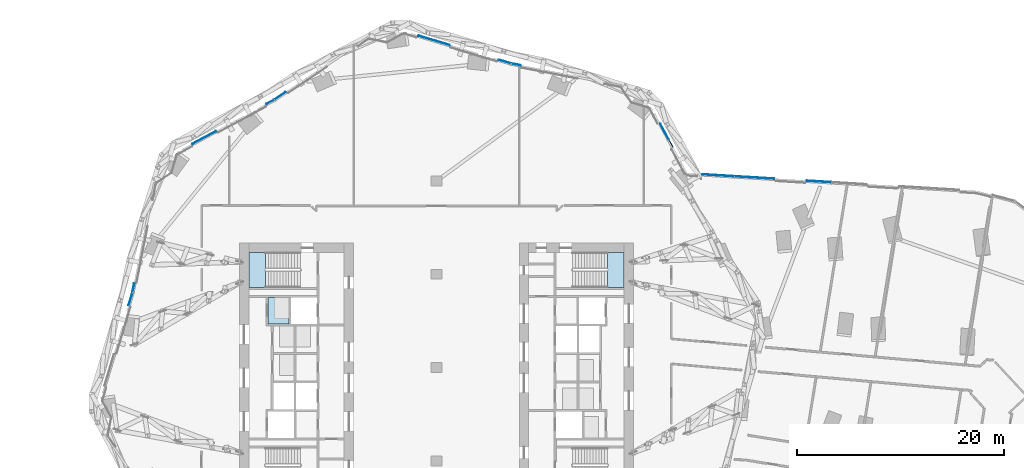
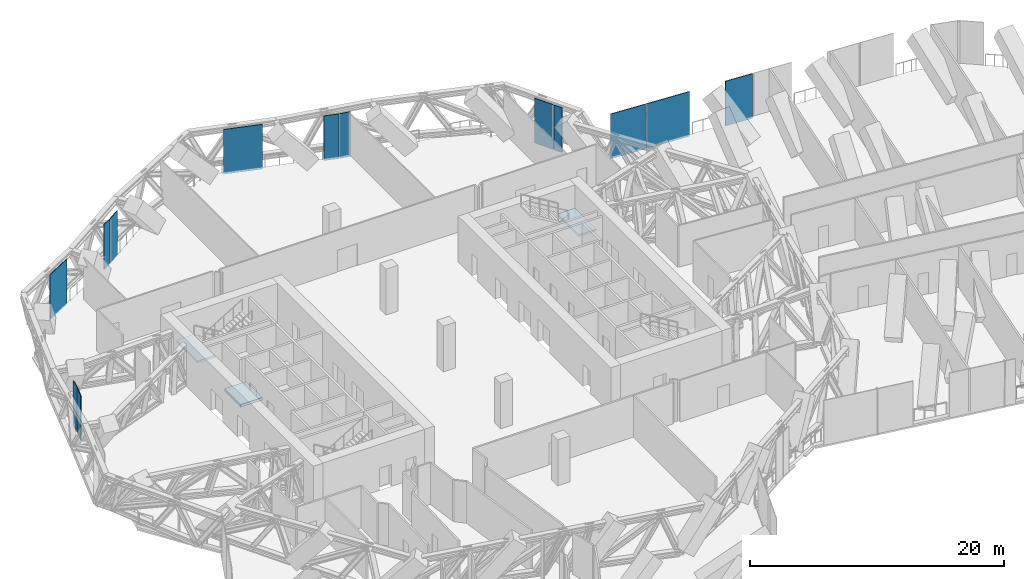
# One storey, part 25 of 39: 13 plates, 3 slabs, 10 elements without a shape of their own.
"""IFC4 building model written with IfcOpenShell, lengths in metres."""

from ifc_helpers import new_model, si_unit, direction, frame, origin, origin_2d, place, context, subcontext, project, spatial, polyline, rectangle, outline, extrude, material, layer, layer_set, type_object, element, aggregate, save


model = new_model("IFC4")

# Units and contexts
model_context = context("Model", 3, precision=1e-05, world=origin(), true_north=direction((0.0, 1.0)))
body_context = subcontext(model_context, "Body", "Model", "MODEL_VIEW")
ifc_project = project(units=[si_unit("LENGTHUNIT", "METRE"), si_unit("AREAUNIT", "SQUARE_METRE"), si_unit("VOLUMEUNIT", "CUBIC_METRE"), si_unit("PLANEANGLEUNIT", "RADIAN"), si_unit("MASSUNIT", "GRAM", prefix="KILO")], contexts=[model_context])

# Site, building, storey
site_placement = place(None, origin())
site = spatial("IfcSite", under=ifc_project, at=site_placement, CompositionType="ELEMENT")
building_placement = place(site_placement, origin())
building = spatial("IfcBuilding", under=site, at=building_placement, Name="Orlundy Tower", CompositionType="ELEMENT")
storey_placement = place(building_placement, frame((0.0, 0.0, 141.199951171875)))
storey = spatial("IfcBuildingStorey", under=building, at=storey_placement, Name="L36", CompositionType="ELEMENT", Elevation=141.199951171875)

# Curtain wall, plate
ifc_material_1 = material(Name="Aluminium bronze anodised", Category="aluminium")
curtain_wall_type = type_object("IfcCurtainWallType", Name="CW4 wall", PredefinedType="NOTDEFINED", material=ifc_material_1)
curtain_wall_1_placement = place(storey_placement, origin())
curtain_wall_1 = element("IfcCurtainWall", 1, at=curtain_wall_1_placement, inside=storey, type_object=curtain_wall_type, Name="CW4 run 016", PredefinedType="NOTDEFINED")
ifc_material_2 = material(Name="Louvre aluminium bronze anodised", Category="aluminium")
ifc_layer_1 = layer(ifc_material_2, 0.06005859375)
ifc_layer_set_1 = layer_set([ifc_layer_1], Name="CW4 louvre panel 60")
plate_type = type_object("IfcPlateType", Name="CW4 louvre panel 60", PredefinedType="CURTAIN_PANEL", material=ifc_layer_set_1)
plate_1_placement = place(storey_placement, frame((-29.514892578125, 6.607177734375, -0.2998046875), z_axis=(0.0, 0.0, 1.0), x_axis=(0.286853201931, 0.957974551093, 0.0)))
plate_1 = element("IfcPlate", 2, at=plate_1_placement, type_object=plate_type, Name="CW4 louvre", PredefinedType="CURTAIN_PANEL", context=body_context, shape_type="SweptSolid", body=[
    extrude(rectangle(XDim=1.226806640625, YDim=0.06005859375, at=origin_2d()), origin(), (0.0, 0.0, 1.0), 4.300048828125),
])
aggregate(curtain_wall_1, [plate_1])

curtain_wall_2_placement = place(storey_placement, origin())
curtain_wall_2 = element("IfcCurtainWall", 3, at=curtain_wall_2_placement, inside=storey, type_object=curtain_wall_type, Name="CW4 run 017", PredefinedType="NOTDEFINED")
plate_2_placement = place(storey_placement, frame((-29.240478515625, 7.685302734375, -0.2998046875), z_axis=(0.0, 0.0, 1.0), x_axis=(0.190769346726, 0.981634889534, 0.0)))
plate_2 = element("IfcPlate", 4, at=plate_2_placement, type_object=plate_type, Name="CW4 louvre", PredefinedType="CURTAIN_PANEL", context=body_context, shape_type="SweptSolid", body=[
    extrude(rectangle(XDim=0.88037109375, YDim=0.06005859375, at=origin_2d()), origin(), (0.0, 0.0, 1.0), 4.300048828125),
])
aggregate(curtain_wall_2, [plate_2])

# Curtain wall, plates
curtain_wall_3_placement = place(storey_placement, origin())
curtain_wall_3 = element("IfcCurtainWall", 5, at=curtain_wall_3_placement, inside=storey, type_object=curtain_wall_type, Name="CW4 run 020", PredefinedType="NOTDEFINED")
plate_3_placement = place(storey_placement, frame((-22.406005859375, 22.19482421875, -0.2998046875), z_axis=(0.0, 0.0, 1.0), x_axis=(0.880180383731, 0.474639328432, 0.0)))
plate_3 = element("IfcPlate", 6, at=plate_3_placement, type_object=plate_type, Name="CW4 louvre", PredefinedType="CURTAIN_PANEL", context=body_context, shape_type="SweptSolid", body=[
    extrude(rectangle(XDim=2.552734375, YDim=0.06005859375, at=origin_2d()), origin(), (0.0, 0.0, 1.0), 4.300048828125),
])
plate_4_placement = place(storey_placement, frame((-16.035888671875, 25.6298828125, -0.2998046875), z_axis=(0.0, 0.0, 1.0), x_axis=(0.880180383731, 0.474639328432, 0.0)))
plate_4 = element("IfcPlate", 7, at=plate_4_placement, type_object=plate_type, Name="CW4 louvre", PredefinedType="CURTAIN_PANEL", context=body_context, shape_type="SweptSolid", body=[
    extrude(rectangle(XDim=0.852783203125, YDim=0.06005859375, at=origin_2d()), origin(), (0.0, 0.0, 1.0), 4.300048828125),
])
aggregate(curtain_wall_3, [plate_3, plate_4])

# Curtain wall, plate
curtain_wall_4_placement = place(storey_placement, origin())
curtain_wall_4 = element("IfcCurtainWall", 8, at=curtain_wall_4_placement, inside=storey, type_object=curtain_wall_type, Name="CW4 run 021", PredefinedType="NOTDEFINED")
plate_5_placement = place(storey_placement, frame((-15.080322265625, 26.22021484375, -0.2998046875), z_axis=(0.0, 0.0, 1.0), x_axis=(0.82904355723, 0.559184030723, 0.0)))
plate_5 = element("IfcPlate", 9, at=plate_5_placement, type_object=plate_type, Name="CW4 louvre", PredefinedType="CURTAIN_PANEL", context=body_context, shape_type="SweptSolid", body=[
    extrude(rectangle(XDim=1.275634765625, YDim=0.06005859375, at=origin_2d()), origin(), (0.0, 0.0, 1.0), 4.300048828125),
])
aggregate(curtain_wall_4, [plate_5])

# Curtain wall, plates
curtain_wall_5_placement = place(storey_placement, origin())
curtain_wall_5 = element("IfcCurtainWall", 10, at=curtain_wall_5_placement, inside=storey, type_object=curtain_wall_type, Name="CW4 run 024", PredefinedType="NOTDEFINED")
plate_6_placement = place(storey_placement, frame((-0.232421875, 31.56298828125, -0.2998046875), z_axis=(0.0, 0.0, 1.0), x_axis=(0.957974551093, -0.286853201931, 0.0)))
plate_6 = element("IfcPlate", 11, at=plate_6_placement, type_object=plate_type, Name="CW4 louvre", PredefinedType="CURTAIN_PANEL", context=body_context, shape_type="SweptSolid", body=[
    extrude(rectangle(XDim=3.153564453125, YDim=0.06005859375, at=origin_2d()), origin(), (0.0, 0.0, 1.0), 4.300048828125),
])
plate_7_placement = place(storey_placement, frame((6.607177734375, 29.514892578125, -0.2998046875), z_axis=(0.0, 0.0, 1.0), x_axis=(0.957974551093, -0.286853201931, 0.0)))
plate_7 = element("IfcPlate", 12, at=plate_7_placement, type_object=plate_type, Name="CW4 louvre", PredefinedType="CURTAIN_PANEL", context=body_context, shape_type="SweptSolid", body=[
    extrude(rectangle(XDim=1.226806640625, YDim=0.06005859375, at=origin_2d()), origin(), (0.0, 0.0, 1.0), 4.300048828125),
])
aggregate(curtain_wall_5, [plate_6, plate_7])

# Curtain wall, plate
curtain_wall_6_placement = place(storey_placement, origin())
curtain_wall_6 = element("IfcCurtainWall", 13, at=curtain_wall_6_placement, inside=storey, type_object=curtain_wall_type, Name="CW4 run 025", PredefinedType="NOTDEFINED")
plate_8_placement = place(storey_placement, frame((7.685302734375, 29.240478515625, -0.2998046875), z_axis=(0.0, 0.0, 1.0), x_axis=(0.981634889534, -0.190769346726, 0.0)))
plate_8 = element("IfcPlate", 14, at=plate_8_placement, type_object=plate_type, Name="CW4 louvre", PredefinedType="CURTAIN_PANEL", context=body_context, shape_type="SweptSolid", body=[
    extrude(rectangle(XDim=0.88037109375, YDim=0.06005859375, at=origin_2d()), origin(), (0.0, 0.0, 1.0), 4.300048828125),
])
aggregate(curtain_wall_6, [plate_8])

# Curtain wall, plates
curtain_wall_7_placement = place(storey_placement, origin())
curtain_wall_7 = element("IfcCurtainWall", 15, at=curtain_wall_7_placement, inside=storey, type_object=curtain_wall_type, Name="CW4 run 028", PredefinedType="NOTDEFINED")
plate_9_placement = place(storey_placement, frame((22.00732421875, 22.753662109375, -0.2998046875), z_axis=(0.0, 0.0, 1.0), x_axis=(0.474639617623, -0.880180227785, 0.0)))
plate_9 = element("IfcPlate", 16, at=plate_9_placement, type_object=plate_type, Name="CW4 louvre", PredefinedType="CURTAIN_PANEL", context=body_context, shape_type="SweptSolid", body=[
    extrude(rectangle(XDim=1.76318359375, YDim=0.06005859375, at=origin_2d()), origin(), (0.0, 0.0, 1.0), 4.300048828125),
])
plate_10_placement = place(storey_placement, frame((22.62744140625, 21.603759765625, -0.2998046875), z_axis=(0.0, 0.0, 1.0), x_axis=(0.474639617623, -0.880180227785, 0.0)))
plate_10 = element("IfcPlate", 17, at=plate_10_placement, type_object=plate_type, Name="CW4 louvre", PredefinedType="CURTAIN_PANEL", context=body_context, shape_type="SweptSolid", body=[
    extrude(rectangle(XDim=0.7294921875, YDim=0.06005859375, at=origin_2d()), origin(), (0.0, 0.0, 1.0), 4.300048828125),
])
aggregate(curtain_wall_7, [plate_9, plate_10])

curtain_wall_8_placement = place(storey_placement, origin())
curtain_wall_8 = element("IfcCurtainWall", 18, at=curtain_wall_8_placement, inside=storey, type_object=curtain_wall_type, Name="CW4 run 029", PredefinedType="NOTDEFINED")
plate_11_placement = place(storey_placement, frame((27.19482421875, 18.54443359375, -0.2998046875), z_axis=(0.0, 0.0, 1.0), x_axis=(0.998134353904, -0.061055806908, 0.0)))
plate_11 = element("IfcPlate", 19, at=plate_11_placement, type_object=plate_type, Name="CW4 louvre", PredefinedType="CURTAIN_PANEL", context=body_context, shape_type="SweptSolid", body=[
    extrude(rectangle(XDim=3.073974609375, YDim=0.06005859375, at=origin_2d()), origin(), (0.0, 0.0, 1.0), 4.300048828125),
])
plate_12_placement = place(storey_placement, frame((30.692626953125, 18.330322265625, -0.2998046875), z_axis=(0.0, 0.0, 1.0), x_axis=(0.998134353904, -0.061055806908, 0.0)))
plate_12 = element("IfcPlate", 20, at=plate_12_placement, type_object=plate_type, Name="CW4 louvre", PredefinedType="CURTAIN_PANEL", context=body_context, shape_type="SweptSolid", body=[
    extrude(rectangle(XDim=3.814697265625, YDim=0.06005859375, at=origin_2d()), origin(), (0.0, 0.0, 1.0), 4.300048828125),
])
plate_13_placement = place(storey_placement, frame((36.906005859375, 17.950439453125, -0.2998046875), z_axis=(0.0, 0.0, 1.0), x_axis=(0.998134353904, -0.061055806908, 0.0)))
plate_13 = element("IfcPlate", 21, at=plate_13_placement, type_object=plate_type, Name="CW4 louvre", PredefinedType="CURTAIN_PANEL", context=body_context, shape_type="SweptSolid", body=[
    extrude(rectangle(XDim=2.352294921875, YDim=0.06005859375, at=origin_2d()), origin(), (0.0, 0.0, 1.0), 4.300048828125),
])
aggregate(curtain_wall_8, [plate_11, plate_12, plate_13])

# Stair, slab
ifc_material_3 = material(Name="Concrete C50/60", Category="concrete")
stair_type = type_object("IfcStairType", Name="Exit Stair 26 risers", PredefinedType="HALF_TURN_STAIR", material=ifc_material_3)
stair_1_placement = place(storey_placement, origin())
stair_1 = element("IfcStair", 22, at=stair_1_placement, inside=storey, type_object=stair_type, Name="L36 Exit Stair ST-W1", PredefinedType="HALF_TURN_STAIR")
ifc_material_4 = material(Name="Concrete C50/60", Category="concrete")
ifc_layer_2 = layer(ifc_material_4, 0.199951171875)
ifc_layer_set_2 = layer_set([ifc_layer_2], Name="Exit Stair Landing")
slab_type_1 = type_object("IfcSlabType", Name="Exit Stair Landing", PredefinedType="LANDING", material=ifc_layer_set_2)
slab_1_placement = place(storey_placement, frame((0.0, 0.0, 2.0)))
slab_1 = element("IfcSlab", 23, at=slab_1_placement, type_object=slab_type_1, Name="ST-W1 landing 1", PredefinedType="LANDING", context=body_context, shape_type="SweptSolid", body=[
    extrude(outline(polyline([(-16.5, 11.10009765625), (-18.10009765625, 11.10009765625), (-18.10009765625, 7.75), (-16.5, 7.75), (-16.5, 11.10009765625)])), origin(), (0.0, 0.0, 1.0), 0.199951171875),
])
aggregate(stair_1, [slab_1])

stair_2_placement = place(storey_placement, origin())
stair_2 = element("IfcStair", 24, at=stair_2_placement, inside=storey, type_object=stair_type, Name="L36 Exit Stair ST-E2", PredefinedType="HALF_TURN_STAIR")
slab_2_placement = place(storey_placement, frame((0.0, 0.0, 2.0)))
slab_2 = element("IfcSlab", 25, at=slab_2_placement, type_object=slab_type_1, Name="ST-E2 landing 1", PredefinedType="LANDING", context=body_context, shape_type="SweptSolid", body=[
    extrude(outline(polyline([(16.5, 7.75), (18.10009765625, 7.75), (18.10009765625, 11.10009765625), (16.5, 11.10009765625), (16.5, 7.75)])), origin(), (0.0, 0.0, 1.0), 0.199951171875),
])
aggregate(stair_2, [slab_2])

# Slab
ifc_material_5 = material(Name="Concrete C50/60", Category="concrete")
ifc_layer_3 = layer(ifc_material_5, 0.25)
ifc_layer_set_3 = layer_set([ifc_layer_3], Name="Lift Pit Slab")
slab_type_2 = type_object("IfcSlabType", Name="Lift Pit Slab", PredefinedType="BASESLAB", material=ifc_layer_set_3)
slab_3_placement = place(storey_placement, frame((0.0, 0.0, -0.75)))
element("IfcSlab", 26, at=slab_3_placement, inside=storey, type_object=slab_type_2, Name="Lift pit floor LP-14", PredefinedType="BASESLAB", context=body_context, shape_type="SweptSolid", body=[
    extrude(outline(polyline([(-14.239990234375, 4.22509765625), (-16.239990234375, 4.22509765625), (-16.239990234375, 6.77490234375), (-14.239990234375, 6.77490234375), (-14.239990234375, 4.22509765625)])), origin(), (0.0, 0.0, 1.0), 0.25),
])

save(model, "model.ifc")
